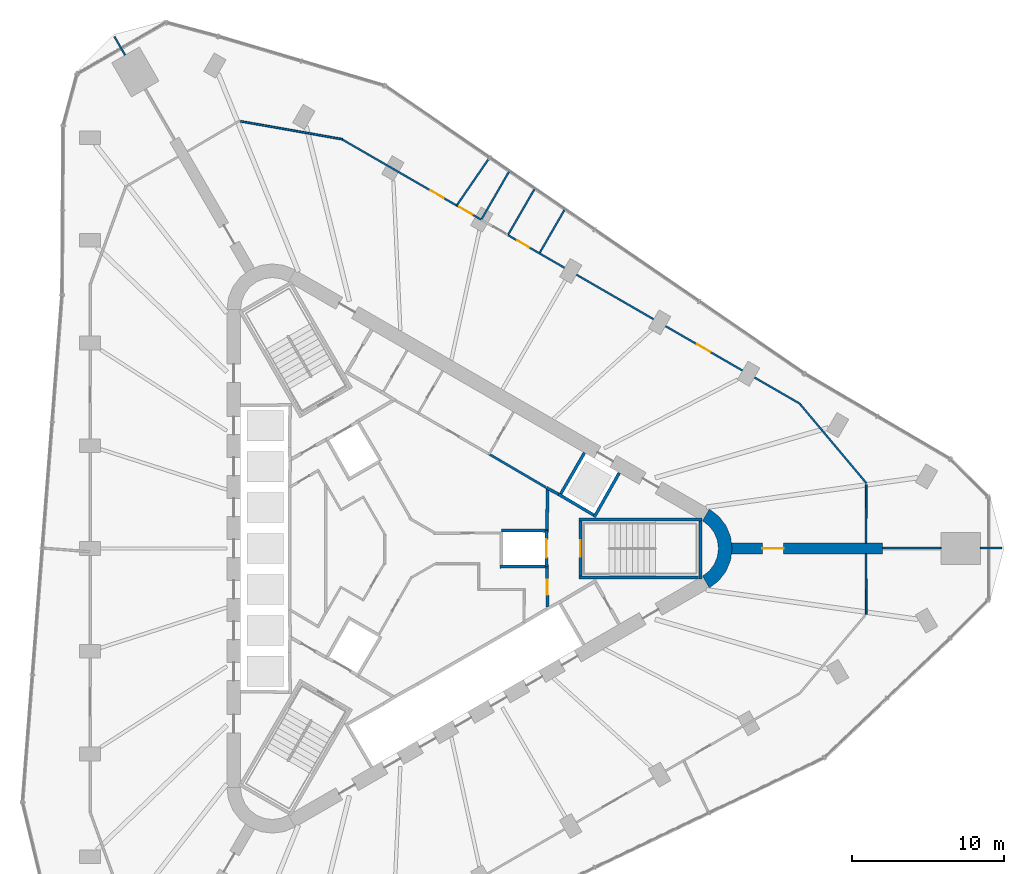
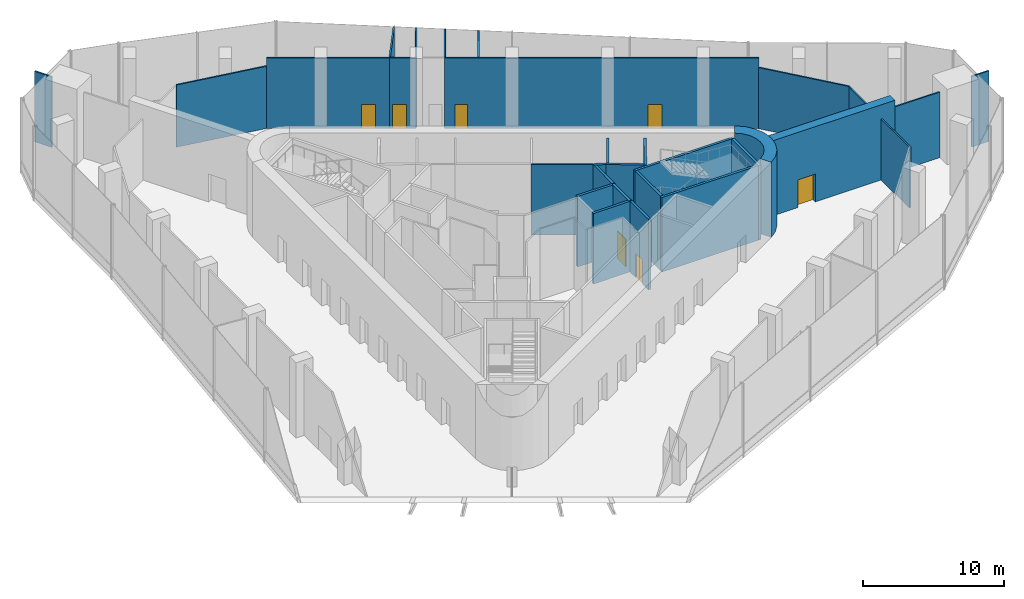
# One storey, part 11 of 15: 30 walls, 8 doors, 8 openings.
"""IFC4 building model written with IfcOpenShell, lengths in metres."""

import ifcopenshell
import ifcopenshell.guid

model = None  # the IFC model being written
_history = None  # IfcOwnerHistory: only IFC2X3 demands one
_inside = {}  # id of a spatial element -> (the spatial element, [elements in it])
_under = {}  # id of a project, library or spatial element -> (it, [spatial elements below it])
_declared = {}  # id of a project -> (the project, [libraries it declares])
_typed = {}  # id of a type object -> (the type object, [elements of that type])
_made_of = {}  # id of a material, layer set ... -> (it, [elements and type objects made of it])


def new_model(schema):
    """Start an empty IFC model of exactly this schema.

    Asked for "IFC4X3", IfcOpenShell would pick the latest addendum, in which some entities
    have other attributes; the version numbers below select the first issue.
    IFC2X3 requires an IfcOwnerHistory on every rooted entity: one is made here for all.
    """
    global model, _history
    if schema == "IFC4X3":
        model = ifcopenshell.file(schema_version=(4, 3, 0, 0))
    else:
        model = ifcopenshell.file(schema=schema)
    _inside.clear()
    _under.clear()
    _declared.clear()
    _typed.clear()
    _made_of.clear()
    _history = None
    if model.schema == "IFC2X3":
        org = make("IfcOrganization", Name="unknown")
        user = make(
            "IfcPersonAndOrganization",
            ThePerson=make("IfcPerson", FamilyName="unknown"),
            TheOrganization=org,
        )
        app = make(
            "IfcApplication",
            ApplicationDeveloper=org,
            Version="unknown",
            ApplicationFullName="unknown",
            ApplicationIdentifier="unknown",
        )
        _history = make(
            "IfcOwnerHistory",
            OwningUser=user,
            OwningApplication=app,
            ChangeAction="ADDED",
            CreationDate=0,
        )
    return model


def make(cls, **values):
    """One entity of the class cls with the attributes given. An attribute that is None is left unset."""
    return model.create_entity(
        cls, **{name: value for name, value in values.items() if value is not None}
    )


def rooted(cls, **values):
    """An entity with a GlobalId (a new one), such as an element, a storey or a relation."""
    return make(cls, GlobalId=ifcopenshell.guid.new(), OwnerHistory=_history, **values)


def si_unit(unit_type, name, prefix=None):
    """IfcSIUnit, for example si_unit("LENGTHUNIT", "METRE", prefix="MILLI")."""
    return make("IfcSIUnit", UnitType=unit_type, Prefix=prefix, Name=name)


def assignment(units):
    """IfcUnitAssignment: the units of a project."""
    return None if units is None else make("IfcUnitAssignment", Units=units)


def point(xyz):
    """IfcCartesianPoint."""
    return None if xyz is None else make("IfcCartesianPoint", Coordinates=xyz)


def direction(xyz):
    """IfcDirection."""
    return None if xyz is None else make("IfcDirection", DirectionRatios=xyz)


def frame(location, z_axis=None, x_axis=None):
    """IfcAxis2Placement3D, a coordinate frame: its origin and axes. An axis left out is left unset."""
    return make(
        "IfcAxis2Placement3D",
        Location=point(location),
        Axis=direction(z_axis),
        RefDirection=direction(x_axis),
    )


def frame_2d(location, x_axis=None):
    """IfcAxis2Placement2D, a coordinate frame in the plane: its origin and x axis."""
    return make(
        "IfcAxis2Placement2D", Location=point(location), RefDirection=direction(x_axis)
    )


def origin():
    """The frame at (0, 0, 0) with its axes left unset."""
    return frame((0.0, 0.0, 0.0))


def place(relative_to, where):
    """IfcLocalPlacement: puts the frame where relative to a parent placement (None: the world)."""
    return make(
        "IfcLocalPlacement", PlacementRelTo=relative_to, RelativePlacement=where
    )


def context(
    kind, dimensions, precision=None, world=None, true_north=None, identifier=None
):
    """IfcGeometricRepresentationContext, for example the 3D "Model" context."""
    return make(
        "IfcGeometricRepresentationContext",
        ContextIdentifier=identifier,
        ContextType=kind,
        CoordinateSpaceDimension=dimensions,
        Precision=precision,
        WorldCoordinateSystem=world,
        TrueNorth=true_north,
    )


def subcontext(parent, identifier, kind, view, scale=None):
    """IfcGeometricRepresentationSubContext, for example "Body" below "Model"."""
    return make(
        "IfcGeometricRepresentationSubContext",
        ContextIdentifier=identifier,
        ContextType=kind,
        ParentContext=parent,
        TargetScale=scale,
        TargetView=view,
    )


def project(units=None, contexts=None):
    """IfcProject with its units and contexts."""
    return rooted(
        "IfcProject",
        Name="project",
        RepresentationContexts=contexts,
        UnitsInContext=assignment(units),
    )


def spatial(cls, under=None, at=None, **own):
    """A site, building, storey or space (cls), placed at a placement, below another one or the project."""
    s = rooted(cls, ObjectPlacement=at, **own)
    if under is not None:
        _under.setdefault(under.id(), (under, []))[1].append(s)
    return s


def polyline(points):
    """IfcPolyline through the points."""
    return make("IfcPolyline", Points=[point(p) for p in points])


def profile(cls, at=None, kind="AREA", **sizes):
    """A parametric profile (cls). Its sizes go by their IFC names, for example OverallWidth=200.0."""
    return make(cls, ProfileType=kind, Position=at, **sizes)


def rectangle(**sizes):
    """IfcRectangleProfileDef."""
    return profile("IfcRectangleProfileDef", **sizes)


def outline(outer, holes=None, kind="AREA"):
    """IfcArbitraryClosedProfileDef: a profile drawn as a closed curve; with holes, ...WithVoids."""
    if holes is None:
        return make("IfcArbitraryClosedProfileDef", ProfileType=kind, OuterCurve=outer)
    return make(
        "IfcArbitraryProfileDefWithVoids",
        ProfileType=kind,
        OuterCurve=outer,
        InnerCurves=holes,
    )


def extrude(swept, where, along, depth):
    """IfcExtrudedAreaSolid: the profile swept, set in the frame where, extruded along a direction by depth."""
    return make(
        "IfcExtrudedAreaSolid",
        SweptArea=swept,
        Position=where,
        ExtrudedDirection=direction(along),
        Depth=depth,
    )


def shape(context_of_items, identifier, shape_type, items):
    """IfcShapeRepresentation: the items that make up one representation, for example the "Body"."""
    return make(
        "IfcShapeRepresentation",
        ContextOfItems=context_of_items,
        RepresentationIdentifier=identifier,
        RepresentationType=shape_type,
        Items=items,
    )


def material(Name=None, Category=None):
    """IfcMaterial."""
    return make("IfcMaterial", Name=Name, Category=Category)


def layer(
    of_material, thickness, ventilated=None, Name=None, Category=None, Priority=None
):
    """IfcMaterialLayer: one layer of a wall or slab, of a material (None: an air gap)."""
    return make(
        "IfcMaterialLayer",
        Material=of_material,
        LayerThickness=thickness,
        IsVentilated=ventilated,
        Name=Name,
        Category=Category,
        Priority=Priority,
    )


def layer_set(layers, Name=None):
    """IfcMaterialLayerSet."""
    return make("IfcMaterialLayerSet", MaterialLayers=layers, LayerSetName=Name)


def made_of(thing, what):
    """Note that an element or type object is made of a material, layer set ...; save() writes the relation."""
    if what is not None:
        _made_of.setdefault(what.id(), (what, []))[1].append(thing)
    return thing


def type_object(cls, material=None, **own):
    """A type object (cls), such as IfcWallType, which elements share."""
    return made_of(rooted(cls, **own), material)


def element(
    cls,
    number,
    at=None,
    inside=None,
    cuts=None,
    type_object=None,
    material=None,
    context=None,
    identifier="Body",
    shape_type=None,
    held_by="IfcProductDefinitionShape",
    body=None,
    shapes=None,
    **own,
):
    """One element of the class cls, such as IfcWall. Its Tag is "e" and its number.

    at: its placement. inside: the storey or other place that contains it. cuts: it is an
    opening in that element (IfcRelVoidsElement). A single representation is given by context,
    identifier, shape_type and body (its items); several are given by shapes. held_by: the class
    of the entity that holds the representations. save() writes the other relations.
    """
    e = rooted(cls, Tag="e%d" % number, ObjectPlacement=at, **own)
    if body is not None:
        shapes = [shape(context, identifier, shape_type, body)]
    if shapes is not None:
        e.Representation = make(held_by, Representations=shapes)
    if inside is not None:
        _inside.setdefault(inside.id(), (inside, []))[1].append(e)
    if cuts is not None:
        rooted(
            "IfcRelVoidsElement", RelatingBuildingElement=cuts, RelatedOpeningElement=e
        )
    if type_object is not None:
        _typed.setdefault(type_object.id(), (type_object, []))[1].append(e)
    return made_of(e, material)


def fill(opening, filler):
    """IfcRelFillsElement: the door or window that sits in an opening."""
    return rooted(
        "IfcRelFillsElement",
        RelatingOpeningElement=opening,
        RelatedBuildingElement=filler,
    )


def aggregate(whole, parts):
    """IfcRelAggregates: a whole, such as a stair, and the parts it consists of."""
    return rooted("IfcRelAggregates", RelatingObject=whole, RelatedObjects=parts)


def save(model, path):
    """Write the relations noted so far, then the file.

    IfcRelAggregates (storeys below a building ...), IfcRelContainedInSpatialStructure (elements
    in a storey), IfcRelDefinesByType, IfcRelAssociatesMaterial and IfcRelDeclares: one each for
    every whole, place, type object, material and project.
    """
    for whole, parts in _under.values():
        aggregate(whole, parts)
    for where, things in _inside.values():
        rooted(
            "IfcRelContainedInSpatialStructure",
            RelatedElements=things,
            RelatingStructure=where,
        )
    for kind, things in _typed.values():
        rooted("IfcRelDefinesByType", RelatedObjects=things, RelatingType=kind)
    for what, things in _made_of.values():
        rooted("IfcRelAssociatesMaterial", RelatedObjects=things, RelatingMaterial=what)
    for by, libraries in _declared.values():
        rooted("IfcRelDeclares", RelatingContext=by, RelatedDefinitions=libraries)
    model.write(path)


model = new_model("IFC4")

# Units and contexts
model_context = context("Model", 3, precision=1e-05, world=origin(), true_north=direction((0.0, 1.0)))
body_context = subcontext(model_context, "Body", "Model", "MODEL_VIEW")
ifc_project = project(units=[si_unit("LENGTHUNIT", "METRE"), si_unit("AREAUNIT", "SQUARE_METRE"), si_unit("VOLUMEUNIT", "CUBIC_METRE"), si_unit("PLANEANGLEUNIT", "RADIAN"), si_unit("MASSUNIT", "GRAM", prefix="KILO")], contexts=[model_context])

# Site, building, storey
site_placement = place(None, origin())
site = spatial("IfcSite", under=ifc_project, at=site_placement, CompositionType="ELEMENT")
building_placement = place(site_placement, origin())
building = spatial("IfcBuilding", under=site, at=building_placement, Name="Tanit Gate Tower", CompositionType="ELEMENT")
storey_placement = place(building_placement, frame((0.0, 0.0, 277.199951171875)))
storey = spatial("IfcBuildingStorey", under=building, at=storey_placement, Name="L63", CompositionType="ELEMENT", Elevation=277.199951171875)

# Wall, opening, door
ifc_material_1 = material(Name="Concrete C50/60", Category="concrete")
ifc_layer_1 = layer(ifc_material_1, 0.699951171875)
ifc_layer_set_1 = layer_set([ifc_layer_1], Name="BUTTRESS FIN 700 C50/60")
wall_type_1 = type_object("IfcWallType", Name="BUTTRESS FIN 700 C50/60", PredefinedType="SHEAR", material=ifc_layer_set_1)
wall_1_placement = place(storey_placement, frame((21.14990234375, 0.0, 0.0), z_axis=(0.0, 0.0, 1.0), x_axis=(1.0, 0.0, 0.0)))
wall_1 = element("IfcWall", 1, at=wall_1_placement, inside=storey, type_object=wall_type_1, Name="BUTTRESS FIN", PredefinedType="SHEAR", context=body_context, shape_type="SweptSolid", body=[
    extrude(rectangle(XDim=9.964599609375, YDim=0.699951171875, at=frame_2d((4.982421875, 0.0))), origin(), (0.0, 0.0, 1.0), 6.5),
])
opening_1_placement = place(wall_1_placement, frame((2.050048828125, 0.0, 0.0)))
opening_1 = element("IfcOpeningElement", 2, at=opening_1_placement, cuts=wall_1, Name="Opening P14-63-F-E-1", PredefinedType="OPENING", context=body_context, shape_type="SweptSolid", body=[
    extrude(rectangle(XDim=1.39990234375, YDim=2.39990234375, at=frame_2d((0.699951171875, 1.199951171875))), frame((0.0, 0.35986328125, 0.0), z_axis=(0.0, -1.0, 0.0), x_axis=(1.0, 0.0, 0.0)), (0.0, 0.0, 1.0), 0.719970703125),
])
ifc_material_2 = material(Name="Timber door leaf", Category="wood")
door_type_1 = type_object("IfcDoorType", Name="INT-DOOR-FIN-PAIR-1400", OperationType="NOTDEFINED", PredefinedType="NOTDEFINED", material=ifc_material_2)
door_1_placement = place(opening_1_placement, origin())
door_1 = element("IfcDoor", 3, at=door_1_placement, inside=storey, type_object=door_type_1, Name="Door P14-63-F-E-1", OperationType="DOUBLE_DOOR_SINGLE_SWING", OverallHeight=2.39990234375, OverallWidth=1.39990234375, PredefinedType="NOTDEFINED", context=body_context, shape_type="SweptSolid", body=[
    extrude(rectangle(XDim=1.39990234375, YDim=2.39990234375, at=frame_2d((0.699951171875, 1.199951171875))), frame((0.0, 0.02490234375, 0.0), z_axis=(0.0, -1.0, 0.0), x_axis=(1.0, 0.0, 0.0)), (0.0, 0.0, 1.0), 0.050048828125),
])
fill(opening_1, door_1)

# Walls
ifc_material_3 = material(Name="Concrete C50/60", Category="concrete")
ifc_layer_2 = layer(ifc_material_3, 0.89990234375)
ifc_layer_set_2 = layer_set([ifc_layer_2], Name="CORE WALL 900 C50/60")
wall_type_2 = type_object("IfcWallType", Name="CORE WALL 900 C50/60", PredefinedType="SHEAR", material=ifc_layer_set_2)
wall_2_placement = place(storey_placement, origin())
element("IfcWall", 4, at=wall_2_placement, inside=storey, type_object=wall_type_2, Name="CORE WALL CORNER", PredefinedType="SHEAR", context=body_context, shape_type="SweptSolid", body=[
    extrude(outline(polyline([(19.699951171875, -2.59814453125), (20.3212890625, -2.121337890625), (20.798095703125, -1.5), (21.097900390625, -0.776611328125), (21.199951171875, 0.0), (21.097900390625, 0.776611328125), (20.798095703125, 1.5), (20.3212890625, 2.121337890625), (19.699951171875, 2.59814453125), (19.25, 1.818603515625), (19.684814453125, 1.48486328125), (20.018798828125, 1.050048828125), (20.228515625, 0.54345703125), (20.300048828125, 0.0), (20.228515625, -0.54345703125), (20.018798828125, -1.050048828125), (19.684814453125, -1.48486328125), (19.25, -1.818603515625), (19.699951171875, -2.59814453125)])), origin(), (0.0, 0.0, 1.0), 6.5),
])
ifc_material_4 = material(Name="Fire-rated gypsum board partition")
ifc_layer_3 = layer(ifc_material_4, 0.199951171875)
ifc_layer_set_3 = layer_set([ifc_layer_3], Name="INT-WALL-COMPARTMENT")
wall_type_3 = type_object("IfcWallType", Name="INT-WALL-COMPARTMENT", PredefinedType="PARTITIONING", material=ifc_layer_set_3)
wall_3_placement = place(storey_placement, frame((8.97412109375, 3.998779296875, 0.0), z_axis=(0.0, 0.0, 1.0), x_axis=(0.880917147855, -0.473270513147, 0.0)))
element("IfcWall", 5, at=wall_3_placement, inside=storey, type_object=wall_type_3, Name="Wall Compartment W050", PredefinedType="PARTITIONING", context=body_context, shape_type="SweptSolid", body=[
    extrude(rectangle(XDim=0.8779296875, YDim=0.199951171875, at=frame_2d((0.43896484375, 0.0))), origin(), (0.0, 0.0, 1.0), 6.10009765625),
])
wall_4_placement = place(storey_placement, frame((9.0009765625, 1.27001953125, 0.0), z_axis=(0.0, 0.0, 1.0), x_axis=(0.01074821465, 0.999942236273, 0.0)))
element("IfcWall", 6, at=wall_4_placement, inside=storey, type_object=wall_type_3, Name="Wall Compartment W061", PredefinedType="PARTITIONING", context=body_context, shape_type="SweptSolid", body=[
    extrude(rectangle(XDim=2.725830078125, YDim=0.199951171875, at=frame_2d((1.36279296875, 0.0))), origin(), (0.0, 0.0, 1.0), 6.10009765625),
])

# Wall, opening, door
wall_5_placement = place(storey_placement, frame((9.02880859375, -3.850830078125, 0.0), z_axis=(0.0, 0.0, 1.0), x_axis=(-0.010783593937, 0.99994185536, 0.0)))
wall_5 = element("IfcWall", 7, at=wall_5_placement, inside=storey, type_object=wall_type_3, Name="Wall Compartment W062", PredefinedType="PARTITIONING", context=body_context, shape_type="SweptSolid", body=[
    extrude(rectangle(XDim=2.5810546875, YDim=0.199951171875, at=frame_2d((1.29052734375, 0.0))), origin(), (0.0, 0.0, 1.0), 6.10009765625),
])
opening_2_placement = place(wall_5_placement, frame((0.79052734375, 0.0, 0.0)))
opening_2 = element("IfcOpeningElement", 8, at=opening_2_placement, cuts=wall_5, Name="Opening F10-63-02", PredefinedType="OPENING", context=body_context, shape_type="SweptSolid", body=[
    extrude(rectangle(XDim=1.0, YDim=2.10009765625, at=frame_2d((0.5, 1.050048828125))), frame((0.0, 0.10986328125, 0.0), z_axis=(0.0, -1.0, 0.0), x_axis=(1.0, 0.0, 0.0)), (0.0, 0.0, 1.0), 0.219970703125),
])
ifc_material_5 = material(Name="Fire-rated steel door leaf", Category="steel")
door_type_2 = type_object("IfcDoorType", Name="INT-DOOR-FIRE-1000", OperationType="NOTDEFINED", PredefinedType="USERDEFINED", material=ifc_material_5)
door_2_placement = place(opening_2_placement, origin())
door_2 = element("IfcDoor", 9, at=door_2_placement, inside=storey, type_object=door_type_2, Name="Door F10-63-02", ObjectType="FIRE DOOR", OperationType="SINGLE_SWING_LEFT", OverallHeight=2.10009765625, OverallWidth=1.0, PredefinedType="USERDEFINED", context=body_context, shape_type="SweptSolid", body=[
    extrude(rectangle(XDim=1.0, YDim=2.10009765625, at=frame_2d((0.5, 1.050048828125))), frame((0.0, 0.02490234375, 0.0), z_axis=(0.0, -1.0, 0.0), x_axis=(1.0, 0.0, 0.0)), (0.0, 0.0, 1.0), 0.050048828125),
])
fill(opening_2, door_2)

# Wall
ifc_material_6 = material(Name="Gypsum board partition")
ifc_layer_4 = layer(ifc_material_6, 0.1201171875)
ifc_layer_set_4 = layer_set([ifc_layer_4], Name="INT-WALL-PARTITION")
wall_type_4 = type_object("IfcWallType", Name="INT-WALL-PARTITION", PredefinedType="PARTITIONING", material=ifc_layer_set_4)
wall_6_placement = place(storey_placement, frame((-19.52001953125, 33.74951171875, 0.0), z_axis=(0.0, 0.0, 1.0), x_axis=(0.50006528296, -0.865987709369, 0.0)))
element("IfcWall", 10, at=wall_6_placement, inside=storey, type_object=wall_type_4, Name="Wall Partition W095", PredefinedType="PARTITIONING", context=body_context, shape_type="SweptSolid", body=[
    extrude(rectangle(XDim=1.417724609375, YDim=0.1201171875, at=frame_2d((0.708984375, 0.0))), origin(), (0.0, 0.0, 1.0), 6.10009765625),
])

# Wall, openings, doors
wall_7_placement = place(storey_placement, frame((25.695068359375, 9.529052734375, 0.0), z_axis=(0.0, 0.0, 1.0), x_axis=(-0.866021729263, 0.500006364403, 0.0)))
wall_7 = element("IfcWall", 11, at=wall_7_placement, inside=storey, type_object=wall_type_4, Name="Wall Partition W099", PredefinedType="PARTITIONING", context=body_context, shape_type="SweptSolid", body=[
    extrude(rectangle(XDim=22.256591796875, YDim=0.1201171875, at=frame_2d((11.12841796875, 0.0))), origin(), (0.0, 0.0, 1.0), 6.10009765625),
])
opening_3_placement = place(wall_7_placement, frame((6.860107421875, 0.0, 0.0)))
opening_3 = element("IfcOpeningElement", 12, at=opening_3_placement, cuts=wall_7, Name="Opening D10-63-21", PredefinedType="OPENING", context=body_context, shape_type="SweptSolid", body=[
    extrude(rectangle(XDim=1.0, YDim=2.10009765625, at=frame_2d((0.5, 1.050048828125))), frame((0.0, 0.070068359375, 0.0), z_axis=(0.0, -1.0, 0.0), x_axis=(1.0, 0.0, 0.0)), (0.0, 0.0, 1.0), 0.14013671875),
])
opening_4_placement = place(wall_7_placement, frame((20.63720703125, 0.0, 0.0)))
opening_4 = element("IfcOpeningElement", 13, at=opening_4_placement, cuts=wall_7, Name="Opening D09-63-25", PredefinedType="OPENING", context=body_context, shape_type="SweptSolid", body=[
    extrude(rectangle(XDim=0.89990234375, YDim=2.10009765625, at=frame_2d((0.449951171875, 1.050048828125))), frame((0.0, 0.070068359375, 0.0), z_axis=(0.0, -1.0, 0.0), x_axis=(1.0, 0.0, 0.0)), (0.0, 0.0, 1.0), 0.14013671875),
])
ifc_material_7 = material(Name="Timber door leaf", Category="wood")
door_type_3 = type_object("IfcDoorType", Name="INT-DOOR-SINGLE-1000", OperationType="NOTDEFINED", PredefinedType="NOTDEFINED", material=ifc_material_7)
door_3_placement = place(opening_3_placement, origin())
door_3 = element("IfcDoor", 14, at=door_3_placement, inside=storey, type_object=door_type_3, Name="Door D10-63-21", OperationType="SINGLE_SWING_RIGHT", OverallHeight=2.10009765625, OverallWidth=1.0, PredefinedType="NOTDEFINED", context=body_context, shape_type="SweptSolid", body=[
    extrude(rectangle(XDim=1.0, YDim=2.10009765625, at=frame_2d((0.5, 1.050048828125))), frame((0.0, 0.02490234375, 0.0), z_axis=(0.0, -1.0, 0.0), x_axis=(1.0, 0.0, 0.0)), (0.0, 0.0, 1.0), 0.050048828125),
])
fill(opening_3, door_3)
ifc_material_8 = material(Name="Timber door leaf", Category="wood")
door_type_4 = type_object("IfcDoorType", Name="INT-DOOR-SINGLE-900", OperationType="NOTDEFINED", PredefinedType="NOTDEFINED", material=ifc_material_8)
door_4_placement = place(opening_4_placement, origin())
door_4 = element("IfcDoor", 15, at=door_4_placement, inside=storey, type_object=door_type_4, Name="Door D09-63-25", OperationType="SINGLE_SWING_LEFT", OverallHeight=2.10009765625, OverallWidth=0.89990234375, PredefinedType="NOTDEFINED", context=body_context, shape_type="SweptSolid", body=[
    extrude(rectangle(XDim=0.89990234375, YDim=2.10009765625, at=frame_2d((0.449951171875, 1.050048828125))), frame((0.0, 0.02490234375, 0.0), z_axis=(0.0, -1.0, 0.0), x_axis=(1.0, 0.0, 0.0)), (0.0, 0.0, 1.0), 0.050048828125),
])
fill(opening_4, door_4)

# Wall, opening, door
wall_8_placement = place(storey_placement, frame((4.66357421875, 21.671630859375, 0.0), z_axis=(0.0, 0.0, 1.0), x_axis=(-0.865988023682, 0.500064738649, 0.0)))
wall_8 = element("IfcWall", 16, at=wall_8_placement, inside=storey, type_object=wall_type_4, Name="Wall Partition W107", PredefinedType="PARTITIONING", context=body_context, shape_type="SweptSolid", body=[
    extrude(rectangle(XDim=1.872802734375, YDim=0.1201171875, at=frame_2d((0.9365234375, 0.0))), origin(), (0.0, 0.0, 1.0), 6.10009765625),
])
opening_5_placement = place(wall_8_placement, frame((0.67041015625, 0.0, 0.0)))
opening_5 = element("IfcOpeningElement", 17, at=opening_5_placement, cuts=wall_8, Name="Opening D10-63-27", PredefinedType="OPENING", context=body_context, shape_type="SweptSolid", body=[
    extrude(rectangle(XDim=1.0, YDim=2.10009765625, at=frame_2d((0.5, 1.050048828125))), frame((0.0, 0.070068359375, 0.0), z_axis=(0.0, -1.0, 0.0), x_axis=(1.0, 0.0, 0.0)), (0.0, 0.0, 1.0), 0.14013671875),
])
door_5_placement = place(opening_5_placement, origin())
door_5 = element("IfcDoor", 18, at=door_5_placement, inside=storey, type_object=door_type_3, Name="Door D10-63-27", OperationType="SINGLE_SWING_RIGHT", OverallHeight=2.10009765625, OverallWidth=1.0, PredefinedType="NOTDEFINED", context=body_context, shape_type="SweptSolid", body=[
    extrude(rectangle(XDim=1.0, YDim=2.10009765625, at=frame_2d((0.5, 1.050048828125))), frame((0.0, 0.02490234375, 0.0), z_axis=(0.0, -1.0, 0.0), x_axis=(1.0, 0.0, 0.0)), (0.0, 0.0, 1.0), 0.050048828125),
])
fill(opening_5, door_5)

wall_9_placement = place(storey_placement, frame((3.041748046875, 22.608154296875, 0.0), z_axis=(0.0, 0.0, 1.0), x_axis=(-0.866032273275, 0.499988101505, 0.0)))
wall_9 = element("IfcWall", 19, at=wall_9_placement, inside=storey, type_object=wall_type_4, Name="Wall Partition W104", PredefinedType="PARTITIONING", context=body_context, shape_type="SweptSolid", body=[
    extrude(rectangle(XDim=8.697998046875, YDim=0.1201171875, at=frame_2d((4.34912109375, 0.0))), origin(), (0.0, 0.0, 1.0), 6.10009765625),
])
opening_6_placement = place(wall_9_placement, frame((1.0, 0.0, 0.0)))
opening_6 = element("IfcOpeningElement", 20, at=opening_6_placement, cuts=wall_9, Name="Opening D10-63-22", PredefinedType="OPENING", context=body_context, shape_type="SweptSolid", body=[
    extrude(rectangle(XDim=1.0, YDim=2.10009765625, at=frame_2d((0.5, 1.050048828125))), frame((0.0, 0.070068359375, 0.0), z_axis=(0.0, -1.0, 0.0), x_axis=(1.0, 0.0, 0.0)), (0.0, 0.0, 1.0), 0.14013671875),
])
door_6_placement = place(opening_6_placement, origin())
door_6 = element("IfcDoor", 21, at=door_6_placement, inside=storey, type_object=door_type_3, Name="Door D10-63-22", OperationType="SINGLE_SWING_RIGHT", OverallHeight=2.10009765625, OverallWidth=1.0, PredefinedType="NOTDEFINED", context=body_context, shape_type="SweptSolid", body=[
    extrude(rectangle(XDim=1.0, YDim=2.10009765625, at=frame_2d((0.5, 1.050048828125))), frame((0.0, 0.02490234375, 0.0), z_axis=(0.0, -1.0, 0.0), x_axis=(1.0, 0.0, 0.0)), (0.0, 0.0, 1.0), 0.050048828125),
])
fill(opening_6, door_6)

# Walls
wall_10_placement = place(storey_placement, frame((30.060302734375, 4.294677734375, 0.0), z_axis=(0.0, 0.0, 1.0), x_axis=(-0.642771739086, 0.766057759854, 0.0)))
element("IfcWall", 22, at=wall_10_placement, inside=storey, type_object=wall_type_4, Name="Wall Partition W100", PredefinedType="PARTITIONING", context=body_context, shape_type="SweptSolid", body=[
    extrude(rectangle(XDim=6.812255859375, YDim=0.1201171875, at=frame_2d((3.40625, 0.0))), origin(), (0.0, 0.0, 1.0), 5.280029296875),
])
wall_11_placement = place(storey_placement, frame((30.0185546875, 0.35009765625, 0.0), z_axis=(0.0, 0.0, 1.0), x_axis=(0.00700430852, 0.99997546953, 0.0)))
element("IfcWall", 23, at=wall_11_placement, inside=storey, type_object=wall_type_4, Name="Wall Partition W101", PredefinedType="PARTITIONING", context=body_context, shape_type="SweptSolid", body=[
    extrude(rectangle(XDim=3.868896484375, YDim=0.1201171875, at=frame_2d((1.9345703125, 0.0))), origin(), (0.0, 0.0, 1.0), 5.280029296875),
])
wall_12_placement = place(storey_placement, frame((-4.48388671875, 26.976806640625, 0.0), z_axis=(0.0, 0.0, 1.0), x_axis=(-0.984808783619, 0.173642332707, 0.0)))
element("IfcWall", 24, at=wall_12_placement, inside=storey, type_object=wall_type_4, Name="Wall Partition W103", PredefinedType="PARTITIONING", context=body_context, shape_type="SweptSolid", body=[
    extrude(rectangle(XDim=6.817626953125, YDim=0.1201171875, at=frame_2d((3.40869140625, 0.0))), origin(), (0.0, 0.0, 1.0), 5.380126953125),
])
wall_13_placement = place(storey_placement, frame((31.114501953125, 0.030029296875, 0.0), z_axis=(0.0, 0.0, 1.0), x_axis=(1.0, 0.0, 0.0)))
element("IfcWall", 25, at=wall_13_placement, inside=storey, type_object=wall_type_4, Name="Wall Partition W108", PredefinedType="PARTITIONING", context=body_context, shape_type="SweptSolid", body=[
    extrude(rectangle(XDim=3.855712890625, YDim=0.1201171875, at=frame_2d((1.927734375, 0.0))), origin(), (0.0, 0.0, 1.0), 5.670166015625),
])
wall_14_placement = place(storey_placement, frame((37.5703125, 0.030029296875, 0.0), z_axis=(0.0, 0.0, 1.0), x_axis=(1.0, 0.0, 0.0)))
element("IfcWall", 26, at=wall_14_placement, inside=storey, type_object=wall_type_4, Name="Wall Partition W109", PredefinedType="PARTITIONING", context=body_context, shape_type="SweptSolid", body=[
    extrude(rectangle(XDim=1.417724609375, YDim=0.1201171875, at=frame_2d((0.708984375, 0.0))), origin(), (0.0, 0.0, 1.0), 6.10009765625),
])
wall_15_placement = place(storey_placement, frame((10.177978515625, 22.36865234375, 0.0), z_axis=(0.0, 0.0, 1.0), x_axis=(-0.49998922161, -0.866031626602, 0.0)))
element("IfcWall", 27, at=wall_15_placement, inside=storey, type_object=wall_type_4, Name="Wall Partition W110", PredefinedType="PARTITIONING", context=body_context, shape_type="SweptSolid", body=[
    extrude(rectangle(XDim=3.30078125, YDim=0.1201171875, at=frame_2d((1.650390625, 0.0))), origin(), (0.0, 0.0, 1.0), 6.10009765625),
])
wall_16_placement = place(storey_placement, frame((3.077880859375, 22.656494140625, 0.0), z_axis=(0.0, 0.0, 1.0), x_axis=(0.565755533498, 0.824573026673, 0.0)))
element("IfcWall", 28, at=wall_16_placement, inside=storey, type_object=wall_type_4, Name="Wall Partition W111", PredefinedType="PARTITIONING", context=body_context, shape_type="SweptSolid", body=[
    extrude(rectangle(XDim=3.77978515625, YDim=0.1201171875, at=frame_2d((1.889892578125, 0.0))), origin(), (0.0, 0.0, 1.0), 6.10009765625),
])
wall_17_placement = place(storey_placement, frame((30.04638671875, -4.333740234375, 0.0), z_axis=(0.0, 0.0, 1.0), x_axis=(-0.006986407906, 0.999975594754, 0.0)))
element("IfcWall", 29, at=wall_17_placement, inside=storey, type_object=wall_type_4, Name="Wall Partition W115", PredefinedType="PARTITIONING", context=body_context, shape_type="SweptSolid", body=[
    extrude(rectangle(XDim=3.983642578125, YDim=0.1201171875, at=frame_2d((1.99169921875, 0.0))), origin(), (0.0, 0.0, 1.0), 5.280029296875),
])
wall_18_placement = place(storey_placement, frame((8.1943359375, 23.729736328125, 0.0), z_axis=(0.0, 0.0, 1.0), x_axis=(-0.500001179632, -0.866024722723, 0.0)))
element("IfcWall", 30, at=wall_18_placement, inside=storey, type_object=wall_type_4, Name="Wall Partition W119", PredefinedType="PARTITIONING", context=body_context, shape_type="SweptSolid", body=[
    extrude(rectangle(XDim=3.48779296875, YDim=0.1201171875, at=frame_2d((1.743896484375, 0.0))), origin(), (0.0, 0.0, 1.0), 6.10009765625),
])
wall_19_placement = place(storey_placement, frame((6.516357421875, 24.881103515625, 0.0), z_axis=(0.0, 0.0, 1.0), x_axis=(-0.499956253286, -0.866050659489, 0.0)))
element("IfcWall", 31, at=wall_19_placement, inside=storey, type_object=wall_type_4, Name="Wall Partition W120", PredefinedType="PARTITIONING", context=body_context, shape_type="SweptSolid", body=[
    extrude(rectangle(XDim=3.645751953125, YDim=0.1201171875, at=frame_2d((1.82275390625, 0.0))), origin(), (0.0, 0.0, 1.0), 6.10009765625),
])
ifc_material_9 = material(Name="Fire-rated gypsum board partition")
ifc_layer_5 = layer(ifc_material_9, 0.14990234375)
ifc_layer_set_5 = layer_set([ifc_layer_5], Name="INT-WALL-RISER")
wall_type_5 = type_object("IfcWallType", Name="INT-WALL-RISER", PredefinedType="PLUMBINGWALL", material=ifc_layer_set_5)
wall_20_placement = place(storey_placement, frame((8.9306640625, 4.024658203125, 0.0), z_axis=(0.0, 0.0, 1.0), x_axis=(-0.862666884027, 0.505772525157, 0.0)))
element("IfcWall", 32, at=wall_20_placement, inside=storey, type_object=wall_type_5, Name="Wall Riser W051", PredefinedType="PLUMBINGWALL", context=body_context, shape_type="SweptSolid", body=[
    extrude(rectangle(XDim=4.371826171875, YDim=0.14990234375, at=frame_2d((2.18603515625, 0.0))), origin(), (0.0, 0.0, 1.0), 6.10009765625),
])
ifc_material_10 = material(Name="Gypsum shaft wall system")
ifc_layer_6 = layer(ifc_material_10, 0.199951171875)
ifc_layer_set_6 = layer_set([ifc_layer_6], Name="INT-WALL-SHAFT")
wall_type_6 = type_object("IfcWallType", Name="INT-WALL-SHAFT", PredefinedType="PLUMBINGWALL", material=ifc_layer_set_6)
wall_21_placement = place(storey_placement, frame((9.8466796875, 3.494873046875, 0.0), z_axis=(0.0, 0.0, 1.0), x_axis=(0.499984717929, 0.866034226713, 0.0)))
element("IfcWall", 33, at=wall_21_placement, inside=storey, type_object=wall_type_6, Name="Wall Shaft W012", PredefinedType="PLUMBINGWALL", context=body_context, shape_type="SweptSolid", body=[
    extrude(rectangle(XDim=3.25, YDim=0.199951171875, at=frame_2d((1.625, 0.0))), origin(), (0.0, 0.0, 1.0), 6.10009765625),
])
wall_22_placement = place(storey_placement, frame((12.10986328125, 2.07275390625, 0.0), z_axis=(0.0, 0.0, 1.0), x_axis=(0.49196600604, 0.870614408852, 0.0)))
element("IfcWall", 34, at=wall_22_placement, inside=storey, type_object=wall_type_6, Name="Wall Shaft W013", PredefinedType="PLUMBINGWALL", context=body_context, shape_type="SweptSolid", body=[
    extrude(rectangle(XDim=3.35009765625, YDim=0.199951171875, at=frame_2d((1.675048828125, 0.0))), origin(), (0.0, 0.0, 1.0), 6.10009765625),
])
wall_23_placement = place(storey_placement, frame((12.072998046875, 2.2109375, 0.0), z_axis=(0.0, 0.0, 1.0), x_axis=(-0.860414880418, 0.509594185166, 0.0)))
element("IfcWall", 35, at=wall_23_placement, inside=storey, type_object=wall_type_6, Name="Wall Shaft W014", PredefinedType="PLUMBINGWALL", context=body_context, shape_type="SweptSolid", body=[
    extrude(rectangle(XDim=2.7001953125, YDim=0.199951171875, at=frame_2d((1.35009765625, 0.0))), origin(), (0.0, 0.0, 1.0), 6.10009765625),
])

# Wall, opening, door
wall_24_placement = place(storey_placement, frame((8.969970703125, 1.199951171875, 0.0), z_axis=(0.0, 0.0, 1.0), x_axis=(0.0, -1.0, 0.0)))
wall_24 = element("IfcWall", 36, at=wall_24_placement, inside=storey, type_object=wall_type_6, Name="Wall Shaft W029", PredefinedType="PLUMBINGWALL", context=body_context, shape_type="SweptSolid", body=[
    extrude(rectangle(XDim=2.39990234375, YDim=0.199951171875, at=frame_2d((1.199951171875, 0.0))), origin(), (0.0, 0.0, 1.0), 6.10009765625),
])
opening_7_placement = place(wall_24_placement, frame((0.60009765625, 0.0, 0.0)))
opening_7 = element("IfcOpeningElement", 37, at=opening_7_placement, cuts=wall_24, Name="Opening LDFL1-L63", PredefinedType="OPENING", context=body_context, shape_type="SweptSolid", body=[
    extrude(rectangle(XDim=1.199951171875, YDim=2.39990234375, at=frame_2d((0.60009765625, 1.199951171875))), frame((0.0, 0.10986328125, 0.0), z_axis=(0.0, -1.0, 0.0), x_axis=(1.0, 0.0, 0.0)), (0.0, 0.0, 1.0), 0.219970703125),
])
ifc_material_11 = material(Name="Stainless steel sliding door leaf", Category="steel")
door_type_5 = type_object("IfcDoorType", Name="INT-DOOR-LANDING-1200", OperationType="NOTDEFINED", PredefinedType="USERDEFINED", material=ifc_material_11)
door_7_placement = place(opening_7_placement, origin())
door_7 = element("IfcDoor", 38, at=door_7_placement, inside=storey, type_object=door_type_5, Name="Door LDFL1-L63", ObjectType="LANDING DOOR", OperationType="SLIDING_TO_LEFT", OverallHeight=2.39990234375, OverallWidth=1.199951171875, PredefinedType="USERDEFINED", context=body_context, shape_type="SweptSolid", body=[
    extrude(rectangle(XDim=1.199951171875, YDim=2.39990234375, at=frame_2d((0.60009765625, 1.199951171875))), frame((0.0, 0.02490234375, 0.0), z_axis=(0.0, -1.0, 0.0), x_axis=(1.0, 0.0, 0.0)), (0.0, 0.0, 1.0), 0.050048828125),
])
fill(opening_7, door_7)

# Walls
wall_25_placement = place(storey_placement, frame((6.0, 1.199951171875, 0.0), z_axis=(0.0, 0.0, 1.0), x_axis=(0.999949988, -0.010001074852, 0.0)))
element("IfcWall", 39, at=wall_25_placement, inside=storey, type_object=wall_type_6, Name="Wall Shaft W030", PredefinedType="PLUMBINGWALL", context=body_context, shape_type="SweptSolid", body=[
    extrude(rectangle(XDim=3.100341796875, YDim=0.199951171875, at=frame_2d((1.55029296875, 0.0))), origin(), (0.0, 0.0, 1.0), 6.10009765625),
])
wall_26_placement = place(storey_placement, frame((5.89990234375, -1.200927734375, 0.0), z_axis=(0.0, 0.0, 1.0), x_axis=(0.999950064753, 0.009993397809, 0.0)))
element("IfcWall", 40, at=wall_26_placement, inside=storey, type_object=wall_type_6, Name="Wall Shaft W031", PredefinedType="PLUMBINGWALL", context=body_context, shape_type="SweptSolid", body=[
    extrude(rectangle(XDim=3.200439453125, YDim=0.199951171875, at=frame_2d((1.60009765625, 0.0))), origin(), (0.0, 0.0, 1.0), 6.10009765625),
])
ifc_material_12 = material(Name="Concrete C40/50", Category="concrete")
ifc_layer_7 = layer(ifc_material_12, 0.199951171875)
ifc_layer_set_7 = layer_set([ifc_layer_7], Name="INT-WALL-STAIR")
wall_type_7 = type_object("IfcWallType", Name="INT-WALL-STAIR", PredefinedType="SHEAR", material=ifc_layer_set_7)
wall_27_placement = place(storey_placement, frame((19.199951171875, 1.89990234375, -0.349853515625), z_axis=(0.0, 0.0, 1.0), x_axis=(-1.0, 0.0, 0.0)))
element("IfcWall", 41, at=wall_27_placement, inside=storey, type_object=wall_type_7, Name="Wall Stair W025", PredefinedType="SHEAR", context=body_context, shape_type="SweptSolid", body=[
    extrude(rectangle(XDim=8.099853515625, YDim=0.199951171875, at=frame_2d((4.0498046875, 0.0))), origin(), (0.0, 0.0, 1.0), 6.449951171875),
])
wall_28_placement = place(storey_placement, frame((19.10009765625, -2.0, -0.349853515625), z_axis=(0.0, 0.0, 1.0), x_axis=(0.0, 1.0, 0.0)))
element("IfcWall", 42, at=wall_28_placement, inside=storey, type_object=wall_type_7, Name="Wall Stair W026", PredefinedType="SHEAR", context=body_context, shape_type="SweptSolid", body=[
    extrude(rectangle(XDim=3.800048828125, YDim=0.199951171875, at=frame_2d((1.89990234375, 0.0))), origin(), (0.0, 0.0, 1.0), 6.449951171875),
])
wall_29_placement = place(storey_placement, frame((11.10009765625, -1.89990234375, -0.349853515625), z_axis=(0.0, 0.0, 1.0), x_axis=(1.0, 0.0, 0.0)))
element("IfcWall", 43, at=wall_29_placement, inside=storey, type_object=wall_type_7, Name="Wall Stair W027", PredefinedType="SHEAR", context=body_context, shape_type="SweptSolid", body=[
    extrude(rectangle(XDim=7.89990234375, YDim=0.199951171875, at=frame_2d((3.949951171875, 0.0))), origin(), (0.0, 0.0, 1.0), 6.449951171875),
])

# Wall, opening, door
wall_30_placement = place(storey_placement, frame((11.199951171875, -1.800048828125, -0.349853515625), z_axis=(0.0, 0.0, 1.0), x_axis=(0.0, 1.0, 0.0)))
wall_30 = element("IfcWall", 44, at=wall_30_placement, inside=storey, type_object=wall_type_7, Name="Wall Stair W028", PredefinedType="SHEAR", context=body_context, shape_type="SweptSolid", body=[
    extrude(rectangle(XDim=3.60009765625, YDim=0.199951171875, at=frame_2d((1.800048828125, 0.0))), origin(), (0.0, 0.0, 1.0), 6.449951171875),
])
opening_8_placement = place(wall_30_placement, frame((1.25, 0.0, 0.35009765625)))
opening_8 = element("IfcOpeningElement", 45, at=opening_8_placement, cuts=wall_30, Name="Opening S11-63-01", PredefinedType="OPENING", context=body_context, shape_type="SweptSolid", body=[
    extrude(rectangle(XDim=1.10009765625, YDim=2.10009765625, at=frame_2d((0.550048828125, 1.050048828125))), frame((0.0, 0.10986328125, 0.0), z_axis=(0.0, -1.0, 0.0), x_axis=(1.0, 0.0, 0.0)), (0.0, 0.0, 1.0), 0.219970703125),
])
ifc_material_13 = material(Name="Timber door leaf", Category="wood")
door_type_6 = type_object("IfcDoorType", Name="INT-DOOR-STAIR-1100", OperationType="NOTDEFINED", PredefinedType="USERDEFINED", material=ifc_material_13)
door_8_placement = place(opening_8_placement, origin())
door_8 = element("IfcDoor", 46, at=door_8_placement, inside=storey, type_object=door_type_6, Name="Door S11-63-01", ObjectType="FIRE DOOR", OperationType="SINGLE_SWING_LEFT", OverallHeight=2.10009765625, OverallWidth=1.10009765625, PredefinedType="USERDEFINED", context=body_context, shape_type="SweptSolid", body=[
    extrude(rectangle(XDim=1.10009765625, YDim=2.10009765625, at=frame_2d((0.550048828125, 1.050048828125))), frame((0.0, 0.02490234375, 0.0), z_axis=(0.0, -1.0, 0.0), x_axis=(1.0, 0.0, 0.0)), (0.0, 0.0, 1.0), 0.050048828125),
])
fill(opening_8, door_8)

save(model, "model.ifc")
